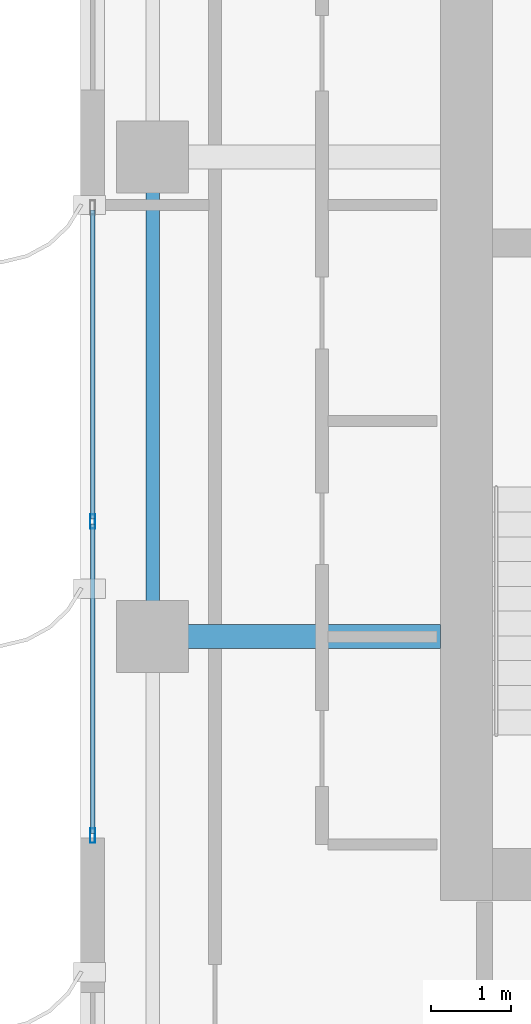
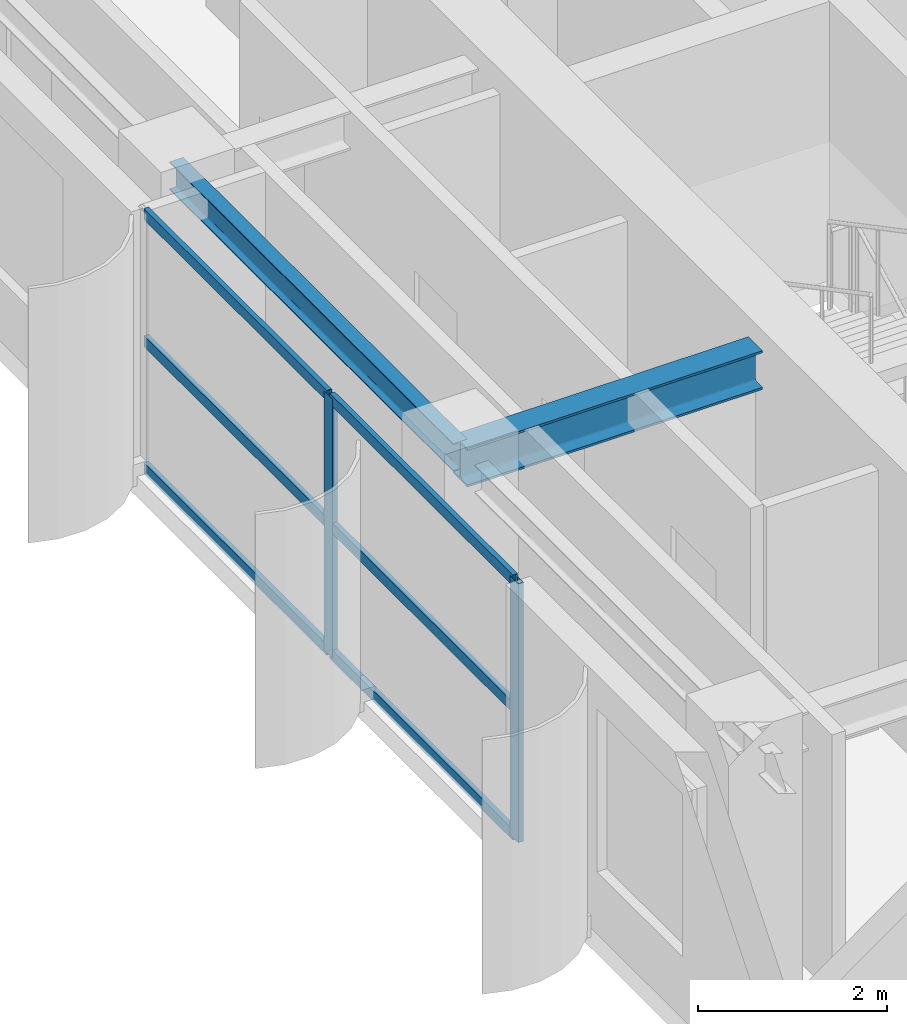
# One storey, part 6 of 22: 8 members, 2 beams, 1 element without a shape of its own.
"""IFC4 building model written with IfcOpenShell, lengths in metres."""

import ifcopenshell
import ifcopenshell.guid

model = None  # the IFC model being written
_history = None  # IfcOwnerHistory: only IFC2X3 demands one
_inside = {}  # id of a spatial element -> (the spatial element, [elements in it])
_under = {}  # id of a project, library or spatial element -> (it, [spatial elements below it])
_declared = {}  # id of a project -> (the project, [libraries it declares])
_typed = {}  # id of a type object -> (the type object, [elements of that type])
_made_of = {}  # id of a material, layer set ... -> (it, [elements and type objects made of it])


def new_model(schema):
    """Start an empty IFC model of exactly this schema.

    Asked for "IFC4X3", IfcOpenShell would pick the latest addendum, in which some entities
    have other attributes; the version numbers below select the first issue.
    IFC2X3 requires an IfcOwnerHistory on every rooted entity: one is made here for all.
    """
    global model, _history
    if schema == "IFC4X3":
        model = ifcopenshell.file(schema_version=(4, 3, 0, 0))
    else:
        model = ifcopenshell.file(schema=schema)
    _inside.clear()
    _under.clear()
    _declared.clear()
    _typed.clear()
    _made_of.clear()
    _history = None
    if model.schema == "IFC2X3":
        org = make("IfcOrganization", Name="unknown")
        user = make(
            "IfcPersonAndOrganization",
            ThePerson=make("IfcPerson", FamilyName="unknown"),
            TheOrganization=org,
        )
        app = make(
            "IfcApplication",
            ApplicationDeveloper=org,
            Version="unknown",
            ApplicationFullName="unknown",
            ApplicationIdentifier="unknown",
        )
        _history = make(
            "IfcOwnerHistory",
            OwningUser=user,
            OwningApplication=app,
            ChangeAction="ADDED",
            CreationDate=0,
        )
    return model


def make(cls, **values):
    """One entity of the class cls with the attributes given. An attribute that is None is left unset."""
    return model.create_entity(
        cls, **{name: value for name, value in values.items() if value is not None}
    )


def rooted(cls, **values):
    """An entity with a GlobalId (a new one), such as an element, a storey or a relation."""
    return make(cls, GlobalId=ifcopenshell.guid.new(), OwnerHistory=_history, **values)


def si_unit(unit_type, name, prefix=None):
    """IfcSIUnit, for example si_unit("LENGTHUNIT", "METRE", prefix="MILLI")."""
    return make("IfcSIUnit", UnitType=unit_type, Prefix=prefix, Name=name)


def assignment(units):
    """IfcUnitAssignment: the units of a project."""
    return None if units is None else make("IfcUnitAssignment", Units=units)


def point(xyz):
    """IfcCartesianPoint."""
    return None if xyz is None else make("IfcCartesianPoint", Coordinates=xyz)


def direction(xyz):
    """IfcDirection."""
    return None if xyz is None else make("IfcDirection", DirectionRatios=xyz)


def frame(location, z_axis=None, x_axis=None):
    """IfcAxis2Placement3D, a coordinate frame: its origin and axes. An axis left out is left unset."""
    return make(
        "IfcAxis2Placement3D",
        Location=point(location),
        Axis=direction(z_axis),
        RefDirection=direction(x_axis),
    )


def frame_2d(location, x_axis=None):
    """IfcAxis2Placement2D, a coordinate frame in the plane: its origin and x axis."""
    return make(
        "IfcAxis2Placement2D", Location=point(location), RefDirection=direction(x_axis)
    )


def origin():
    """The frame at (0, 0, 0) with its axes left unset."""
    return frame((0.0, 0.0, 0.0))


def origin_2d():
    """The frame at (0, 0) in the plane with its x axis left unset."""
    return frame_2d((0.0, 0.0))


def place(relative_to, where):
    """IfcLocalPlacement: puts the frame where relative to a parent placement (None: the world)."""
    return make(
        "IfcLocalPlacement", PlacementRelTo=relative_to, RelativePlacement=where
    )


def context(
    kind, dimensions, precision=None, world=None, true_north=None, identifier=None
):
    """IfcGeometricRepresentationContext, for example the 3D "Model" context."""
    return make(
        "IfcGeometricRepresentationContext",
        ContextIdentifier=identifier,
        ContextType=kind,
        CoordinateSpaceDimension=dimensions,
        Precision=precision,
        WorldCoordinateSystem=world,
        TrueNorth=true_north,
    )


def subcontext(parent, identifier, kind, view, scale=None):
    """IfcGeometricRepresentationSubContext, for example "Body" below "Model"."""
    return make(
        "IfcGeometricRepresentationSubContext",
        ContextIdentifier=identifier,
        ContextType=kind,
        ParentContext=parent,
        TargetScale=scale,
        TargetView=view,
    )


def project(units=None, contexts=None):
    """IfcProject with its units and contexts."""
    return rooted(
        "IfcProject",
        Name="project",
        RepresentationContexts=contexts,
        UnitsInContext=assignment(units),
    )


def spatial(cls, under=None, at=None, **own):
    """A site, building, storey or space (cls), placed at a placement, below another one or the project."""
    s = rooted(cls, ObjectPlacement=at, **own)
    if under is not None:
        _under.setdefault(under.id(), (under, []))[1].append(s)
    return s


def profile(cls, at=None, kind="AREA", **sizes):
    """A parametric profile (cls). Its sizes go by their IFC names, for example OverallWidth=200.0."""
    return make(cls, ProfileType=kind, Position=at, **sizes)


def hollow_rectangle(**sizes):
    """IfcRectangleHollowProfileDef."""
    return profile("IfcRectangleHollowProfileDef", **sizes)


def i_section(**sizes):
    """IfcIShapeProfileDef."""
    return profile("IfcIShapeProfileDef", **sizes)


def extrude(swept, where, along, depth):
    """IfcExtrudedAreaSolid: the profile swept, set in the frame where, extruded along a direction by depth."""
    return make(
        "IfcExtrudedAreaSolid",
        SweptArea=swept,
        Position=where,
        ExtrudedDirection=direction(along),
        Depth=depth,
    )


def shape(context_of_items, identifier, shape_type, items):
    """IfcShapeRepresentation: the items that make up one representation, for example the "Body"."""
    return make(
        "IfcShapeRepresentation",
        ContextOfItems=context_of_items,
        RepresentationIdentifier=identifier,
        RepresentationType=shape_type,
        Items=items,
    )


def source(mapping_origin, context_of_items, identifier, shape_type, items):
    """IfcRepresentationMap: a shape defined once, which mapped items show again and again."""
    return make(
        "IfcRepresentationMap",
        MappingOrigin=mapping_origin,
        MappedRepresentation=shape(context_of_items, identifier, shape_type, items),
    )


def transform(
    local_origin,
    x_axis=None,
    y_axis=None,
    z_axis=None,
    scale=None,
    scale2=None,
    scale3=None,
    uniform=True,
):
    """IfcCartesianTransformationOperator3D, or its non-uniform kind. x_axis, y_axis, z_axis: its Axis1, 2, 3."""
    if uniform:
        return make(
            "IfcCartesianTransformationOperator3D",
            Axis1=direction(x_axis),
            Axis2=direction(y_axis),
            LocalOrigin=point(local_origin),
            Scale=scale,
            Axis3=direction(z_axis),
        )
    return make(
        "IfcCartesianTransformationOperator3DnonUniform",
        Axis1=direction(x_axis),
        Axis2=direction(y_axis),
        LocalOrigin=point(local_origin),
        Scale=scale,
        Axis3=direction(z_axis),
        Scale2=scale2,
        Scale3=scale3,
    )


def mapped(mapping_source, mapping_target):
    """IfcMappedItem: shows the shape of a source again, moved by a transform."""
    return make(
        "IfcMappedItem", MappingSource=mapping_source, MappingTarget=mapping_target
    )


def material(Name=None, Category=None):
    """IfcMaterial."""
    return make("IfcMaterial", Name=Name, Category=Category)


def layer(
    of_material, thickness, ventilated=None, Name=None, Category=None, Priority=None
):
    """IfcMaterialLayer: one layer of a wall or slab, of a material (None: an air gap)."""
    return make(
        "IfcMaterialLayer",
        Material=of_material,
        LayerThickness=thickness,
        IsVentilated=ventilated,
        Name=Name,
        Category=Category,
        Priority=Priority,
    )


def layer_set(layers, Name=None):
    """IfcMaterialLayerSet."""
    return make("IfcMaterialLayerSet", MaterialLayers=layers, LayerSetName=Name)


def material_profile(
    of_material, cross_section, Name=None, Category=None, Priority=None
):
    """IfcMaterialProfile: a cross section and its material."""
    return make(
        "IfcMaterialProfile",
        Name=Name,
        Material=of_material,
        Profile=cross_section,
        Priority=Priority,
        Category=Category,
    )


def profile_set(profiles, Name=None, composite=None):
    """IfcMaterialProfileSet."""
    return make(
        "IfcMaterialProfileSet",
        Name=Name,
        MaterialProfiles=profiles,
        CompositeProfile=composite,
    )


def made_of(thing, what):
    """Note that an element or type object is made of a material, layer set ...; save() writes the relation."""
    if what is not None:
        _made_of.setdefault(what.id(), (what, []))[1].append(thing)
    return thing


def type_object(cls, material=None, **own):
    """A type object (cls), such as IfcWallType, which elements share."""
    return made_of(rooted(cls, **own), material)


def element(
    cls,
    number,
    at=None,
    inside=None,
    cuts=None,
    type_object=None,
    material=None,
    context=None,
    identifier="Body",
    shape_type=None,
    held_by="IfcProductDefinitionShape",
    body=None,
    shapes=None,
    **own,
):
    """One element of the class cls, such as IfcWall. Its Tag is "e" and its number.

    at: its placement. inside: the storey or other place that contains it. cuts: it is an
    opening in that element (IfcRelVoidsElement). A single representation is given by context,
    identifier, shape_type and body (its items); several are given by shapes. held_by: the class
    of the entity that holds the representations. save() writes the other relations.
    """
    e = rooted(cls, Tag="e%d" % number, ObjectPlacement=at, **own)
    if body is not None:
        shapes = [shape(context, identifier, shape_type, body)]
    if shapes is not None:
        e.Representation = make(held_by, Representations=shapes)
    if inside is not None:
        _inside.setdefault(inside.id(), (inside, []))[1].append(e)
    if cuts is not None:
        rooted(
            "IfcRelVoidsElement", RelatingBuildingElement=cuts, RelatedOpeningElement=e
        )
    if type_object is not None:
        _typed.setdefault(type_object.id(), (type_object, []))[1].append(e)
    return made_of(e, material)


def aggregate(whole, parts):
    """IfcRelAggregates: a whole, such as a stair, and the parts it consists of."""
    return rooted("IfcRelAggregates", RelatingObject=whole, RelatedObjects=parts)


def save(model, path):
    """Write the relations noted so far, then the file.

    IfcRelAggregates (storeys below a building ...), IfcRelContainedInSpatialStructure (elements
    in a storey), IfcRelDefinesByType, IfcRelAssociatesMaterial and IfcRelDeclares: one each for
    every whole, place, type object, material and project.
    """
    for whole, parts in _under.values():
        aggregate(whole, parts)
    for where, things in _inside.values():
        rooted(
            "IfcRelContainedInSpatialStructure",
            RelatedElements=things,
            RelatingStructure=where,
        )
    for kind, things in _typed.values():
        rooted("IfcRelDefinesByType", RelatedObjects=things, RelatingType=kind)
    for what, things in _made_of.values():
        rooted("IfcRelAssociatesMaterial", RelatedObjects=things, RelatingMaterial=what)
    for by, libraries in _declared.values():
        rooted("IfcRelDeclares", RelatingContext=by, RelatedDefinitions=libraries)
    model.write(path)


model = new_model("IFC4")

# Units and contexts
model_context = context("Model", 3, precision=1e-05, world=origin(), true_north=direction((0.0, 1.0)))
body_context = subcontext(model_context, "Body", "Model", "MODEL_VIEW")
ifc_project = project(units=[si_unit("LENGTHUNIT", "METRE"), si_unit("AREAUNIT", "SQUARE_METRE"), si_unit("VOLUMEUNIT", "CUBIC_METRE"), si_unit("PLANEANGLEUNIT", "RADIAN"), si_unit("MASSUNIT", "GRAM", prefix="KILO")], contexts=[model_context])

# Site, building, storey
site_placement = place(None, origin())
site = spatial("IfcSite", under=ifc_project, at=site_placement, CompositionType="ELEMENT")
building_placement = place(site_placement, origin())
building = spatial("IfcBuilding", under=site, at=building_placement, Name="Khoralis Quay Care Tower", CompositionType="ELEMENT")
storey_placement = place(building_placement, frame((0.0, 0.0, 209.699951171875)))
storey = spatial("IfcBuildingStorey", under=building, at=storey_placement, Name="L55", CompositionType="ELEMENT", Elevation=209.699951171875)

# Beams
ifc_material_1 = material(Name="Steel S355", Category="steel")
ifc_material_profile_1 = material_profile(ifc_material_1, i_section(OverallWidth=0.169921875, OverallDepth=0.360107421875, WebThickness=0.008056640625, FlangeThickness=0.0126953125, FilletRadius=0.01806640625, at=origin_2d()), Name="Steel S355")
ifc_profile_set_1 = profile_set([ifc_material_profile_1], Name="Steel S355")
beam_type_1 = type_object("IfcBeamType", Name="BM-IPE360", PredefinedType="SPANDREL", material=ifc_profile_set_1)
shared_shape_1 = source(origin(), body_context, "Body", "SweptSolid", [
    extrude(i_section(OverallWidth=0.169921875, OverallDepth=0.360107421875, WebThickness=0.008056640625, FlangeThickness=0.0126953125, FilletRadius=0.01806640625, at=origin_2d()), origin(), (0.0, 0.0, 1.0), 6.0),
])
beam_1_placement = place(storey_placement, frame((3.89990234375, 18.0, 3.16015625), z_axis=(0.0, 1.0, 0.0), x_axis=(-1.0, 0.0, 0.0)))
element("IfcBeam", 1, at=beam_1_placement, inside=storey, type_object=beam_type_1, Name="BM-TSP-L55-07", PredefinedType="SPANDREL", context=body_context, shape_type="MappedRepresentation", body=[
    mapped(shared_shape_1, transform((0.0, 0.0, 0.0), scale=1.0)),
])
ifc_material_profile_2 = material_profile(ifc_material_1, i_section(OverallWidth=0.300048828125, OverallDepth=0.5, WebThickness=0.014404296875, FlangeThickness=0.028076171875, FilletRadius=0.027099609375, at=origin_2d()), Name="Steel S355")
ifc_profile_set_2 = profile_set([ifc_material_profile_2], Name="Steel S355")
beam_type_2 = type_object("IfcBeamType", Name="BM-HEB500", PredefinedType="BEAM", material=ifc_profile_set_2)
shared_shape_2 = source(origin(), body_context, "Body", "SweptSolid", [
    extrude(i_section(OverallWidth=0.300048828125, OverallDepth=0.5, WebThickness=0.014404296875, FlangeThickness=0.028076171875, FilletRadius=0.027099609375, at=origin_2d()), origin(), (0.0, 0.0, 1.0), 3.60205078125),
])
beam_2_placement = place(storey_placement, frame((3.89990234375, 18.0, 3.090087890625), z_axis=(1.0, 0.0, 0.0), x_axis=(0.0, 1.0, 0.0)))
element("IfcBeam", 2, at=beam_2_placement, inside=storey, type_object=beam_type_2, Name="BM-TGXW-L55-180", PredefinedType="BEAM", context=body_context, shape_type="MappedRepresentation", body=[
    mapped(shared_shape_2, transform((0.0, 0.0, 0.0), scale=1.0)),
])

# Curtain wall, members
ifc_material_2 = material(Name="Pale anodised aluminium", Category="aluminium")
ifc_layer = layer(ifc_material_2, 0.159912109375)
ifc_layer_set = layer_set([ifc_layer], Name="Pale anodised aluminium")
curtain_wall_type = type_object("IfcCurtainWallType", Name="CW-SYS-Z3", PredefinedType="NOTDEFINED", material=ifc_layer_set)
curtain_wall_placement = place(storey_placement, origin())
curtain_wall = element("IfcCurtainWall", 3, at=curtain_wall_placement, inside=storey, type_object=curtain_wall_type, Name="L55 Unitised Curtain Wall CW-L55-P1-E7", PredefinedType="NOTDEFINED")
ifc_material_profile_3 = material_profile(ifc_material_2, hollow_rectangle(XDim=0.06494140625, YDim=0.179931640625, WallThickness=0.00390625, at=origin_2d()), Name="Pale anodised aluminium")
ifc_profile_set_3 = profile_set([ifc_material_profile_3], Name="Pale anodised aluminium")
member_type_1 = type_object("IfcMemberType", Name="CW-MUL-180", PredefinedType="MULLION", material=ifc_profile_set_3)
shared_shape_3 = source(origin(), body_context, "Body", "SweptSolid", [
    extrude(hollow_rectangle(XDim=0.06494140625, YDim=0.179931640625, WallThickness=0.00390625, at=origin_2d()), origin(), (0.0, 0.0, 1.0), 3.340087890625),
])
member_1_placement = place(storey_placement, frame((3.14990234375, 19.43994140625, 0.0), z_axis=(0.0, 0.0, 1.0), x_axis=(1.0, 0.0, 0.0)))
member_1 = element("IfcMember", 4, at=member_1_placement, type_object=member_type_1, Name="CW3 mullion 2", PredefinedType="MULLION", context=body_context, shape_type="MappedRepresentation", body=[
    mapped(shared_shape_3, transform((0.0, 0.0, 0.0), scale=1.0)),
])
member_2_placement = place(storey_placement, frame((3.14990234375, 15.510009765625, 0.0), z_axis=(0.0, 0.0, 1.0), x_axis=(1.0, 0.0, 0.0)))
member_2 = element("IfcMember", 5, at=member_2_placement, type_object=member_type_1, Name="CW3 mullion 3", PredefinedType="MULLION", context=body_context, shape_type="MappedRepresentation", body=[
    mapped(shared_shape_3, transform((0.0, 0.0, 0.0), scale=1.0)),
])
ifc_material_profile_4 = material_profile(ifc_material_2, hollow_rectangle(XDim=0.06005859375, YDim=0.139892578125, WallThickness=0.00390625, at=origin_2d()), Name="Pale anodised aluminium")
ifc_profile_set_4 = profile_set([ifc_material_profile_4], Name="Pale anodised aluminium")
member_type_2 = type_object("IfcMemberType", Name="CW-TRN-140", PredefinedType="USERDEFINED", material=ifc_profile_set_4)
shared_shape_4 = source(origin(), body_context, "Body", "SweptSolid", [
    extrude(hollow_rectangle(XDim=0.06005859375, YDim=0.139892578125, WallThickness=0.00390625, at=origin_2d()), origin(), (0.0, 0.0, 1.0), 3.8701171875),
])
member_3_placement = place(storey_placement, frame((3.14990234375, 23.340087890625, 0.030029296875), z_axis=(0.0, -1.0, 0.0), x_axis=(1.0, 0.0, 0.0)))
member_3 = element("IfcMember", 6, at=member_3_placement, type_object=member_type_2, Name="CW3 transom 1.1", ObjectType="TRANSOM", PredefinedType="USERDEFINED", context=body_context, shape_type="MappedRepresentation", body=[
    mapped(shared_shape_4, transform((0.0, 0.0, 0.0), scale=1.0)),
])
member_4_placement = place(storey_placement, frame((3.14990234375, 23.340087890625, 1.670166015625), z_axis=(0.0, -1.0, 0.0), x_axis=(1.0, 0.0, 0.0)))
member_4 = element("IfcMember", 7, at=member_4_placement, type_object=member_type_2, Name="CW3 transom 1.2", ObjectType="TRANSOM", PredefinedType="USERDEFINED", context=body_context, shape_type="MappedRepresentation", body=[
    mapped(shared_shape_4, transform((0.0, 0.0, 0.0), scale=1.0)),
])
member_5_placement = place(storey_placement, frame((3.14990234375, 23.340087890625, 3.31005859375), z_axis=(0.0, -1.0, 0.0), x_axis=(1.0, 0.0, 0.0)))
member_5 = element("IfcMember", 8, at=member_5_placement, type_object=member_type_2, Name="CW3 transom 1.3", ObjectType="TRANSOM", PredefinedType="USERDEFINED", context=body_context, shape_type="MappedRepresentation", body=[
    mapped(shared_shape_4, transform((0.0, 0.0, 0.0), scale=1.0)),
])
shared_shape_5 = source(origin(), body_context, "Body", "SweptSolid", [
    extrude(hollow_rectangle(XDim=0.06005859375, YDim=0.139892578125, WallThickness=0.00390625, at=origin_2d()), origin(), (0.0, 0.0, 1.0), 3.869873046875),
])
member_6_placement = place(storey_placement, frame((3.14990234375, 19.409912109375, 0.030029296875), z_axis=(0.0, -1.0, 0.0), x_axis=(1.0, 0.0, 0.0)))
member_6 = element("IfcMember", 9, at=member_6_placement, type_object=member_type_2, Name="CW3 transom 2.1", ObjectType="TRANSOM", PredefinedType="USERDEFINED", context=body_context, shape_type="MappedRepresentation", body=[
    mapped(shared_shape_5, transform((0.0, 0.0, 0.0), scale=1.0)),
])
member_7_placement = place(storey_placement, frame((3.14990234375, 19.409912109375, 1.670166015625), z_axis=(0.0, -1.0, 0.0), x_axis=(1.0, 0.0, 0.0)))
member_7 = element("IfcMember", 10, at=member_7_placement, type_object=member_type_2, Name="CW3 transom 2.2", ObjectType="TRANSOM", PredefinedType="USERDEFINED", context=body_context, shape_type="MappedRepresentation", body=[
    mapped(shared_shape_5, transform((0.0, 0.0, 0.0), scale=1.0)),
])
member_8_placement = place(storey_placement, frame((3.14990234375, 19.409912109375, 3.31005859375), z_axis=(0.0, -1.0, 0.0), x_axis=(1.0, 0.0, 0.0)))
member_8 = element("IfcMember", 11, at=member_8_placement, type_object=member_type_2, Name="CW3 transom 2.3", ObjectType="TRANSOM", PredefinedType="USERDEFINED", context=body_context, shape_type="MappedRepresentation", body=[
    mapped(shared_shape_5, transform((0.0, 0.0, 0.0), scale=1.0)),
])
aggregate(curtain_wall, [member_1, member_2, member_3, member_4, member_5, member_6, member_7, member_8])

save(model, "model.ifc")
